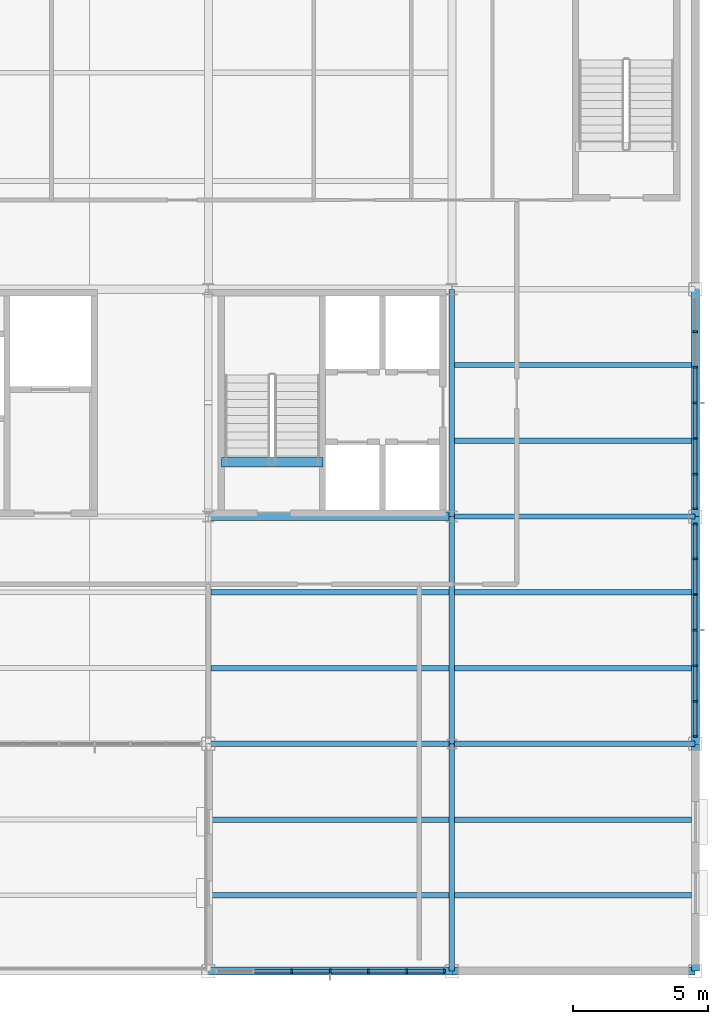
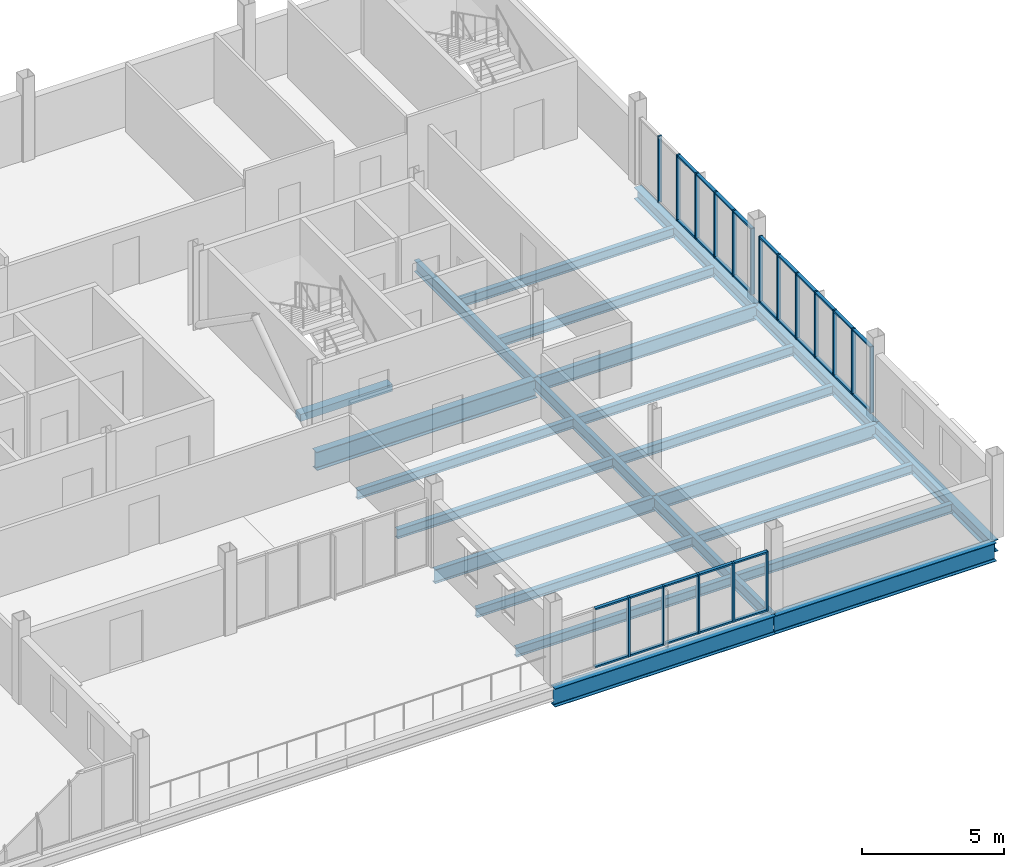
# One storey, part 7 of 20: 48 members, 23 beams, 3 elements without a shape of their own.
"""IFC4 building model written with IfcOpenShell, lengths in metres."""

import ifcopenshell
import ifcopenshell.guid

model = None  # the IFC model being written
_history = None  # IfcOwnerHistory: only IFC2X3 demands one
_inside = {}  # id of a spatial element -> (the spatial element, [elements in it])
_under = {}  # id of a project, library or spatial element -> (it, [spatial elements below it])
_declared = {}  # id of a project -> (the project, [libraries it declares])
_typed = {}  # id of a type object -> (the type object, [elements of that type])
_made_of = {}  # id of a material, layer set ... -> (it, [elements and type objects made of it])


def new_model(schema):
    """Start an empty IFC model of exactly this schema.

    Asked for "IFC4X3", IfcOpenShell would pick the latest addendum, in which some entities
    have other attributes; the version numbers below select the first issue.
    IFC2X3 requires an IfcOwnerHistory on every rooted entity: one is made here for all.
    """
    global model, _history
    if schema == "IFC4X3":
        model = ifcopenshell.file(schema_version=(4, 3, 0, 0))
    else:
        model = ifcopenshell.file(schema=schema)
    _inside.clear()
    _under.clear()
    _declared.clear()
    _typed.clear()
    _made_of.clear()
    _history = None
    if model.schema == "IFC2X3":
        org = make("IfcOrganization", Name="unknown")
        user = make(
            "IfcPersonAndOrganization",
            ThePerson=make("IfcPerson", FamilyName="unknown"),
            TheOrganization=org,
        )
        app = make(
            "IfcApplication",
            ApplicationDeveloper=org,
            Version="unknown",
            ApplicationFullName="unknown",
            ApplicationIdentifier="unknown",
        )
        _history = make(
            "IfcOwnerHistory",
            OwningUser=user,
            OwningApplication=app,
            ChangeAction="ADDED",
            CreationDate=0,
        )
    return model


def make(cls, **values):
    """One entity of the class cls with the attributes given. An attribute that is None is left unset."""
    return model.create_entity(
        cls, **{name: value for name, value in values.items() if value is not None}
    )


def rooted(cls, **values):
    """An entity with a GlobalId (a new one), such as an element, a storey or a relation."""
    return make(cls, GlobalId=ifcopenshell.guid.new(), OwnerHistory=_history, **values)


def si_unit(unit_type, name, prefix=None):
    """IfcSIUnit, for example si_unit("LENGTHUNIT", "METRE", prefix="MILLI")."""
    return make("IfcSIUnit", UnitType=unit_type, Prefix=prefix, Name=name)


def assignment(units):
    """IfcUnitAssignment: the units of a project."""
    return None if units is None else make("IfcUnitAssignment", Units=units)


def point(xyz):
    """IfcCartesianPoint."""
    return None if xyz is None else make("IfcCartesianPoint", Coordinates=xyz)


def direction(xyz):
    """IfcDirection."""
    return None if xyz is None else make("IfcDirection", DirectionRatios=xyz)


def frame(location, z_axis=None, x_axis=None):
    """IfcAxis2Placement3D, a coordinate frame: its origin and axes. An axis left out is left unset."""
    return make(
        "IfcAxis2Placement3D",
        Location=point(location),
        Axis=direction(z_axis),
        RefDirection=direction(x_axis),
    )


def frame_2d(location, x_axis=None):
    """IfcAxis2Placement2D, a coordinate frame in the plane: its origin and x axis."""
    return make(
        "IfcAxis2Placement2D", Location=point(location), RefDirection=direction(x_axis)
    )


def origin():
    """The frame at (0, 0, 0) with its axes left unset."""
    return frame((0.0, 0.0, 0.0))


def origin_2d():
    """The frame at (0, 0) in the plane with its x axis left unset."""
    return frame_2d((0.0, 0.0))


def place(relative_to, where):
    """IfcLocalPlacement: puts the frame where relative to a parent placement (None: the world)."""
    return make(
        "IfcLocalPlacement", PlacementRelTo=relative_to, RelativePlacement=where
    )


def context(
    kind, dimensions, precision=None, world=None, true_north=None, identifier=None
):
    """IfcGeometricRepresentationContext, for example the 3D "Model" context."""
    return make(
        "IfcGeometricRepresentationContext",
        ContextIdentifier=identifier,
        ContextType=kind,
        CoordinateSpaceDimension=dimensions,
        Precision=precision,
        WorldCoordinateSystem=world,
        TrueNorth=true_north,
    )


def subcontext(parent, identifier, kind, view, scale=None):
    """IfcGeometricRepresentationSubContext, for example "Body" below "Model"."""
    return make(
        "IfcGeometricRepresentationSubContext",
        ContextIdentifier=identifier,
        ContextType=kind,
        ParentContext=parent,
        TargetScale=scale,
        TargetView=view,
    )


def project(units=None, contexts=None):
    """IfcProject with its units and contexts."""
    return rooted(
        "IfcProject",
        Name="project",
        RepresentationContexts=contexts,
        UnitsInContext=assignment(units),
    )


def spatial(cls, under=None, at=None, **own):
    """A site, building, storey or space (cls), placed at a placement, below another one or the project."""
    s = rooted(cls, ObjectPlacement=at, **own)
    if under is not None:
        _under.setdefault(under.id(), (under, []))[1].append(s)
    return s


def profile(cls, at=None, kind="AREA", **sizes):
    """A parametric profile (cls). Its sizes go by their IFC names, for example OverallWidth=200.0."""
    return make(cls, ProfileType=kind, Position=at, **sizes)


def rectangle(**sizes):
    """IfcRectangleProfileDef."""
    return profile("IfcRectangleProfileDef", **sizes)


def i_section(**sizes):
    """IfcIShapeProfileDef."""
    return profile("IfcIShapeProfileDef", **sizes)


def extrude(swept, where, along, depth):
    """IfcExtrudedAreaSolid: the profile swept, set in the frame where, extruded along a direction by depth."""
    return make(
        "IfcExtrudedAreaSolid",
        SweptArea=swept,
        Position=where,
        ExtrudedDirection=direction(along),
        Depth=depth,
    )


def shape(context_of_items, identifier, shape_type, items):
    """IfcShapeRepresentation: the items that make up one representation, for example the "Body"."""
    return make(
        "IfcShapeRepresentation",
        ContextOfItems=context_of_items,
        RepresentationIdentifier=identifier,
        RepresentationType=shape_type,
        Items=items,
    )


def material(Name=None, Category=None):
    """IfcMaterial."""
    return make("IfcMaterial", Name=Name, Category=Category)


def layer(
    of_material, thickness, ventilated=None, Name=None, Category=None, Priority=None
):
    """IfcMaterialLayer: one layer of a wall or slab, of a material (None: an air gap)."""
    return make(
        "IfcMaterialLayer",
        Material=of_material,
        LayerThickness=thickness,
        IsVentilated=ventilated,
        Name=Name,
        Category=Category,
        Priority=Priority,
    )


def layer_set(layers, Name=None):
    """IfcMaterialLayerSet."""
    return make("IfcMaterialLayerSet", MaterialLayers=layers, LayerSetName=Name)


def material_profile(
    of_material, cross_section, Name=None, Category=None, Priority=None
):
    """IfcMaterialProfile: a cross section and its material."""
    return make(
        "IfcMaterialProfile",
        Name=Name,
        Material=of_material,
        Profile=cross_section,
        Priority=Priority,
        Category=Category,
    )


def profile_set(profiles, Name=None, composite=None):
    """IfcMaterialProfileSet."""
    return make(
        "IfcMaterialProfileSet",
        Name=Name,
        MaterialProfiles=profiles,
        CompositeProfile=composite,
    )


def made_of(thing, what):
    """Note that an element or type object is made of a material, layer set ...; save() writes the relation."""
    if what is not None:
        _made_of.setdefault(what.id(), (what, []))[1].append(thing)
    return thing


def type_object(cls, material=None, **own):
    """A type object (cls), such as IfcWallType, which elements share."""
    return made_of(rooted(cls, **own), material)


def element(
    cls,
    number,
    at=None,
    inside=None,
    cuts=None,
    type_object=None,
    material=None,
    context=None,
    identifier="Body",
    shape_type=None,
    held_by="IfcProductDefinitionShape",
    body=None,
    shapes=None,
    **own,
):
    """One element of the class cls, such as IfcWall. Its Tag is "e" and its number.

    at: its placement. inside: the storey or other place that contains it. cuts: it is an
    opening in that element (IfcRelVoidsElement). A single representation is given by context,
    identifier, shape_type and body (its items); several are given by shapes. held_by: the class
    of the entity that holds the representations. save() writes the other relations.
    """
    e = rooted(cls, Tag="e%d" % number, ObjectPlacement=at, **own)
    if body is not None:
        shapes = [shape(context, identifier, shape_type, body)]
    if shapes is not None:
        e.Representation = make(held_by, Representations=shapes)
    if inside is not None:
        _inside.setdefault(inside.id(), (inside, []))[1].append(e)
    if cuts is not None:
        rooted(
            "IfcRelVoidsElement", RelatingBuildingElement=cuts, RelatedOpeningElement=e
        )
    if type_object is not None:
        _typed.setdefault(type_object.id(), (type_object, []))[1].append(e)
    return made_of(e, material)


def aggregate(whole, parts):
    """IfcRelAggregates: a whole, such as a stair, and the parts it consists of."""
    return rooted("IfcRelAggregates", RelatingObject=whole, RelatedObjects=parts)


def save(model, path):
    """Write the relations noted so far, then the file.

    IfcRelAggregates (storeys below a building ...), IfcRelContainedInSpatialStructure (elements
    in a storey), IfcRelDefinesByType, IfcRelAssociatesMaterial and IfcRelDeclares: one each for
    every whole, place, type object, material and project.
    """
    for whole, parts in _under.values():
        aggregate(whole, parts)
    for where, things in _inside.values():
        rooted(
            "IfcRelContainedInSpatialStructure",
            RelatedElements=things,
            RelatingStructure=where,
        )
    for kind, things in _typed.values():
        rooted("IfcRelDefinesByType", RelatedObjects=things, RelatingType=kind)
    for what, things in _made_of.values():
        rooted("IfcRelAssociatesMaterial", RelatedObjects=things, RelatingMaterial=what)
    for by, libraries in _declared.values():
        rooted("IfcRelDeclares", RelatingContext=by, RelatedDefinitions=libraries)
    model.write(path)


model = new_model("IFC4")

# Units and contexts
model_context = context("Model", 3, precision=1e-05, world=origin(), true_north=direction((0.0, 1.0)))
body_context = subcontext(model_context, "Body", "Model", "MODEL_VIEW")
ifc_project = project(units=[si_unit("LENGTHUNIT", "METRE"), si_unit("AREAUNIT", "SQUARE_METRE"), si_unit("VOLUMEUNIT", "CUBIC_METRE"), si_unit("PLANEANGLEUNIT", "RADIAN"), si_unit("MASSUNIT", "GRAM", prefix="KILO")], contexts=[model_context])

# Site, building, storey
site_placement = place(None, origin())
site = spatial("IfcSite", under=ifc_project, at=site_placement, CompositionType="ELEMENT")
building_placement = place(site_placement, origin())
building = spatial("IfcBuilding", under=site, at=building_placement, Name="Yukiwa Park Conservatory and Herbarium", CompositionType="ELEMENT")
storey_placement = place(building_placement, frame((0.0, 0.0, 28.199951171875)))
storey = spatial("IfcBuildingStorey", under=building, at=storey_placement, Name="L07", CompositionType="ELEMENT", Elevation=28.199951171875)

# Beams
ifc_material_1 = material(Name="Steel Q355D", Category="steel")
ifc_material_profile_1 = material_profile(ifc_material_1, i_section(OverallWidth=0.199951171875, OverallDepth=0.5, WebThickness=0.010009765625, FlangeThickness=0.01611328125, FilletRadius=0.02001953125, at=origin_2d()), Name="HN 500x200x10x16")
ifc_profile_set_1 = profile_set([ifc_material_profile_1], Name="Steel Q355D")
beam_type_1 = type_object("IfcBeamType", Name="BM-GRD-HN500", PredefinedType="BEAM", material=ifc_profile_set_1)
for number, where, z_axis, x_axis, name in (
    (1, (159.0, 78.006103515625, -0.5048828125), (0.0, 1.0, 0.0), (-1.0, 0.0, 0.0), "L07 grid girder Y-46"),
    (2, (159.0, 86.406005859375, -0.5048828125), (0.0, 1.0, 0.0), (-1.0, 0.0, 0.0), "L07 grid girder Y-47"),
):
    element("IfcBeam", number, at=place(storey_placement, frame(where, z_axis=z_axis, x_axis=x_axis)), inside=storey, type_object=beam_type_1, Name=name, PredefinedType="BEAM", context=body_context, shape_type="SweptSolid", body=[
        extrude(i_section(OverallWidth=0.199951171875, OverallDepth=0.5, WebThickness=0.010009765625, FlangeThickness=0.01611328125, FilletRadius=0.02001953125, at=origin_2d()), origin(), (0.0, 0.0, 1.0), 8.387939453125),
    ])
beam_1_placement = place(storey_placement, frame((159.0, 94.805908203125, -0.5048828125), z_axis=(0.0, 1.0, 0.0), x_axis=(-1.0, 0.0, 0.0)))
element("IfcBeam", 3, at=beam_1_placement, inside=storey, type_object=beam_type_1, Name="L07 grid girder Y-48", PredefinedType="BEAM", context=body_context, shape_type="SweptSolid", body=[
    extrude(i_section(OverallWidth=0.199951171875, OverallDepth=0.5, WebThickness=0.010009765625, FlangeThickness=0.01611328125, FilletRadius=0.02001953125, at=origin_2d()), origin(), (0.0, 0.0, 1.0), 8.38818359375),
])
ifc_material_2 = material(Name="Steel Q355D", Category="steel")
ifc_material_profile_2 = material_profile(ifc_material_2, i_section(OverallWidth=0.199951171875, OverallDepth=0.60009765625, WebThickness=0.010986328125, FlangeThickness=0.01708984375, FilletRadius=0.02197265625, at=origin_2d()), Name="HN 600x200x11x17")
ifc_profile_set_2 = profile_set([ifc_material_profile_2], Name="Steel Q355D")
beam_type_2 = type_object("IfcBeamType", Name="BM-GRD-HN600", PredefinedType="BEAM", material=ifc_profile_set_2)
for number, where, z_axis, x_axis, name in (
    (4, (150.006103515625, 86.39990234375, -0.554931640625), (1.0, 0.0, 0.0), (0.0, 1.0, 0.0), "L07 grid beam X-10"),
    (5, (159.006103515625, 86.39990234375, -0.554931640625), (1.0, 0.0, 0.0), (0.0, 1.0, 0.0), "L07 grid beam X-11"),
    (6, (159.006103515625, 94.800048828125, -0.554931640625), (1.0, 0.0, 0.0), (0.0, 1.0, 0.0), "L07 grid beam X-17"),
):
    element("IfcBeam", number, at=place(storey_placement, frame(where, z_axis=z_axis, x_axis=x_axis)), inside=storey, type_object=beam_type_2, Name=name, PredefinedType="BEAM", context=body_context, shape_type="SweptSolid", body=[
        extrude(i_section(OverallWidth=0.199951171875, OverallDepth=0.60009765625, WebThickness=0.010986328125, FlangeThickness=0.01708984375, FilletRadius=0.02197265625, at=origin_2d()), origin(), (0.0, 0.0, 1.0), 8.98779296875),
    ])
ifc_material_3 = material(Name="Steel Q355D", Category="steel")
ifc_material_profile_3 = material_profile(ifc_material_3, i_section(OverallWidth=0.199951171875, OverallDepth=0.39990234375, WebThickness=0.008056640625, FlangeThickness=0.012939453125, FilletRadius=0.01611328125, at=origin_2d()), Name="HN 400x200x8x13")
ifc_profile_set_3 = profile_set([ifc_material_profile_3], Name="Steel Q355D")
beam_type_3 = type_object("IfcBeamType", Name="BM-JST-HN400", PredefinedType="JOIST", material=ifc_profile_set_3)
for number, where, z_axis, x_axis, name in (
    (7, (150.095947265625, 80.800048828125, -0.454833984375), (1.0, 0.0, 0.0), (0.0, 1.0, 0.0), "L07 composite floor joist 21"),
    (8, (150.095947265625, 83.60009765625, -0.454833984375), (1.0, 0.0, 0.0), (0.0, 1.0, 0.0), "L07 composite floor joist 22"),
    (9, (150.095947265625, 89.199951171875, -0.454833984375), (1.0, 0.0, 0.0), (0.0, 1.0, 0.0), "L07 composite floor joist 23"),
    (10, (150.095947265625, 92.0, -0.454833984375), (1.0, 0.0, 0.0), (0.0, 1.0, 0.0), "L07 composite floor joist 24"),
):
    element("IfcBeam", number, at=place(storey_placement, frame(where, z_axis=z_axis, x_axis=x_axis)), inside=storey, type_object=beam_type_3, Name=name, PredefinedType="JOIST", context=body_context, shape_type="SweptSolid", body=[
        extrude(i_section(OverallWidth=0.199951171875, OverallDepth=0.39990234375, WebThickness=0.008056640625, FlangeThickness=0.012939453125, FilletRadius=0.01611328125, at=origin_2d()), origin(), (0.0, 0.0, 1.0), 8.80810546875),
    ])
for number, where, z_axis, x_axis, name in (
    (11, (159.095947265625, 80.800048828125, -0.454833984375), (1.0, 0.0, 0.0), (0.0, 1.0, 0.0), "L07 composite floor joist 27"),
    (12, (159.095947265625, 83.60009765625, -0.454833984375), (1.0, 0.0, 0.0), (0.0, 1.0, 0.0), "L07 composite floor joist 28"),
    (13, (159.095947265625, 89.199951171875, -0.454833984375), (1.0, 0.0, 0.0), (0.0, 1.0, 0.0), "L07 composite floor joist 29"),
    (14, (159.095947265625, 92.0, -0.454833984375), (1.0, 0.0, 0.0), (0.0, 1.0, 0.0), "L07 composite floor joist 30"),
    (15, (159.095947265625, 97.60009765625, -0.454833984375), (1.0, 0.0, 0.0), (0.0, 1.0, 0.0), "L07 composite floor joist 31"),
    (16, (159.095947265625, 100.39990234375, -0.454833984375), (1.0, 0.0, 0.0), (0.0, 1.0, 0.0), "L07 composite floor joist 32"),
):
    element("IfcBeam", number, at=place(storey_placement, frame(where, z_axis=z_axis, x_axis=x_axis)), inside=storey, type_object=beam_type_3, Name=name, PredefinedType="JOIST", context=body_context, shape_type="SweptSolid", body=[
        extrude(i_section(OverallWidth=0.199951171875, OverallDepth=0.39990234375, WebThickness=0.008056640625, FlangeThickness=0.012939453125, FilletRadius=0.01611328125, at=origin_2d()), origin(), (0.0, 0.0, 1.0), 8.758056640625),
    ])
ifc_material_4 = material(Name="Steel Q355D", Category="steel")
ifc_material_profile_4 = material_profile(ifc_material_4, i_section(OverallWidth=0.300048828125, OverallDepth=0.5, WebThickness=0.010986328125, FlangeThickness=0.01806640625, FilletRadius=0.02392578125, at=origin_2d()), Name="HM 500x300x11x18")
ifc_profile_set_4 = profile_set([ifc_material_profile_4], Name="Steel Q355D")
beam_type_4 = type_object("IfcBeamType", Name="BM-SPN-HN500", PredefinedType="SPANDREL", material=ifc_profile_set_4)
for number, where, z_axis, x_axis, name in (
    (17, (168.0, 78.006103515625, -0.5048828125), (0.0, 1.0, 0.0), (-1.0, 0.0, 0.0), "L07 spandrel girder Y-50"),
    (18, (168.0, 86.406005859375, -0.5048828125), (0.0, 1.0, 0.0), (-1.0, 0.0, 0.0), "L07 spandrel girder Y-51"),
):
    element("IfcBeam", number, at=place(storey_placement, frame(where, z_axis=z_axis, x_axis=x_axis)), inside=storey, type_object=beam_type_4, Name=name, PredefinedType="SPANDREL", context=body_context, shape_type="SweptSolid", body=[
        extrude(i_section(OverallWidth=0.300048828125, OverallDepth=0.5, WebThickness=0.010986328125, FlangeThickness=0.01806640625, FilletRadius=0.02392578125, at=origin_2d()), origin(), (0.0, 0.0, 1.0), 8.387939453125),
    ])
beam_2_placement = place(storey_placement, frame((168.0, 94.805908203125, -0.5048828125), z_axis=(0.0, 1.0, 0.0), x_axis=(-1.0, 0.0, 0.0)))
element("IfcBeam", 19, at=beam_2_placement, inside=storey, type_object=beam_type_4, Name="L07 spandrel girder Y-52", PredefinedType="SPANDREL", context=body_context, shape_type="SweptSolid", body=[
    extrude(i_section(OverallWidth=0.300048828125, OverallDepth=0.5, WebThickness=0.010986328125, FlangeThickness=0.01806640625, FilletRadius=0.02392578125, at=origin_2d()), origin(), (0.0, 0.0, 1.0), 8.38818359375),
])
ifc_material_5 = material(Name="Steel Q355D", Category="steel")
ifc_material_profile_5 = material_profile(ifc_material_5, i_section(OverallWidth=0.300048828125, OverallDepth=0.7919921875, WebThickness=0.013916015625, FlangeThickness=0.02197265625, FilletRadius=0.028076171875, at=origin_2d()), Name="HN 792x300x14x22")
ifc_profile_set_5 = profile_set([ifc_material_profile_5], Name="Steel Q355D")
beam_type_5 = type_object("IfcBeamType", Name="BM-SPN-HN600", PredefinedType="SPANDREL", material=ifc_profile_set_5)
for number, where, z_axis, x_axis, name in (
    (20, (150.006103515625, 78.0, -0.65087890625), (1.0, 0.0, 0.0), (0.0, 1.0, 0.0), "L07 spandrel beam X-4"),
    (21, (159.006103515625, 78.0, -0.65087890625), (1.0, 0.0, 0.0), (0.0, 1.0, 0.0), "L07 spandrel beam X-5"),
    (22, (150.006103515625, 94.800048828125, -0.65087890625), (1.0, 0.0, 0.0), (0.0, 1.0, 0.0), "L07 spandrel beam X-16"),
):
    element("IfcBeam", number, at=place(storey_placement, frame(where, z_axis=z_axis, x_axis=x_axis)), inside=storey, type_object=beam_type_5, Name=name, PredefinedType="SPANDREL", context=body_context, shape_type="SweptSolid", body=[
        extrude(i_section(OverallWidth=0.300048828125, OverallDepth=0.7919921875, WebThickness=0.013916015625, FlangeThickness=0.02197265625, FilletRadius=0.028076171875, at=origin_2d()), origin(), (0.0, 0.0, 1.0), 8.98779296875),
    ])
ifc_material_6 = material(Name="Concrete C40", Category="concrete")
ifc_material_profile_6 = material_profile(ifc_material_6, rectangle(XDim=0.35009765625, YDim=0.300048828125, at=origin_2d()), Name="RC 350x300")
ifc_profile_set_6 = profile_set([ifc_material_profile_6], Name="Concrete C40")
beam_type_6 = type_object("IfcBeamType", Name="BM-STAIR-TRIM", PredefinedType="BEAM", material=ifc_profile_set_6)
beam_3_placement = place(storey_placement, frame((150.47998046875, 96.81005859375, -0.14990234375), z_axis=(1.0, 0.0, 0.0), x_axis=(0.0, 1.0, 0.0)))
element("IfcBeam", 23, at=beam_3_placement, inside=storey, type_object=beam_type_6, Name="Stair ST-T2 L07 landing trimmer beam", PredefinedType="BEAM", context=body_context, shape_type="SweptSolid", body=[
    extrude(rectangle(XDim=0.35009765625, YDim=0.300048828125, at=origin_2d()), origin(), (0.0, 0.0, 1.0), 3.75),
])

# Curtain wall, members
ifc_material_7 = material(Name="Triple Low-E Insulated Glass", Category="glass")
ifc_layer_1 = layer(ifc_material_7, 0.248046875)
ifc_layer_set_1 = layer_set([ifc_layer_1], Name="Triple Low-E Insulated Glass")
curtain_wall_type_1 = type_object("IfcCurtainWallType", Name="CW-TOWER-LAB-S-1400", PredefinedType="NOTDEFINED", material=ifc_layer_set_1)
curtain_wall_1_placement = place(storey_placement, origin())
curtain_wall_1 = element("IfcCurtainWall", 24, at=curtain_wall_1_placement, inside=storey, type_object=curtain_wall_type_1, Name="L07 unitised curtain wall CW-L07-090", PredefinedType="NOTDEFINED")
ifc_material_8 = material(Name="Anodised Aluminium", Category="aluminium")
member_type_1 = type_object("IfcMemberType", Name="MB-CW-MUL-70X150", PredefinedType="MULLION", material=ifc_material_8)
member_1_placement = place(storey_placement, frame((153.083251953125, 78.0, 0.0), z_axis=(0.0, 0.0, 1.0), x_axis=(1.0, 0.0, 0.0)))
member_1 = element("IfcMember", 25, at=member_1_placement, type_object=member_type_1, Name="CW-L07-090 mullion 3", PredefinedType="MULLION", context=body_context, shape_type="SweptSolid", body=[
    extrude(rectangle(XDim=0.070068359375, YDim=0.14990234375, at=origin_2d()), origin(), (0.0, 0.0, 1.0), 2.56005859375),
])
member_2_placement = place(storey_placement, frame((154.5, 78.0, 0.0), z_axis=(0.0, 0.0, 1.0), x_axis=(1.0, 0.0, 0.0)))
member_2 = element("IfcMember", 26, at=member_2_placement, type_object=member_type_1, Name="CW-L07-090 mullion 4", PredefinedType="MULLION", context=body_context, shape_type="SweptSolid", body=[
    extrude(rectangle(XDim=0.070068359375, YDim=0.14990234375, at=origin_2d()), origin(), (0.0, 0.0, 1.0), 2.56005859375),
])
member_3_placement = place(storey_placement, frame((155.916748046875, 78.0, 0.0), z_axis=(0.0, 0.0, 1.0), x_axis=(1.0, 0.0, 0.0)))
member_3 = element("IfcMember", 27, at=member_3_placement, type_object=member_type_1, Name="CW-L07-090 mullion 5", PredefinedType="MULLION", context=body_context, shape_type="SweptSolid", body=[
    extrude(rectangle(XDim=0.070068359375, YDim=0.14990234375, at=origin_2d()), origin(), (0.0, 0.0, 1.0), 2.56005859375),
])
member_4_placement = place(storey_placement, frame((157.333251953125, 78.0, 0.0), z_axis=(0.0, 0.0, 1.0), x_axis=(1.0, 0.0, 0.0)))
member_4 = element("IfcMember", 28, at=member_4_placement, type_object=member_type_1, Name="CW-L07-090 mullion 6", PredefinedType="MULLION", context=body_context, shape_type="SweptSolid", body=[
    extrude(rectangle(XDim=0.070068359375, YDim=0.14990234375, at=origin_2d()), origin(), (0.0, 0.0, 1.0), 2.56005859375),
])
member_5_placement = place(storey_placement, frame((158.715087890625, 78.0, 0.0), z_axis=(0.0, 0.0, 1.0), x_axis=(1.0, 0.0, 0.0)))
member_5 = element("IfcMember", 29, at=member_5_placement, type_object=member_type_1, Name="CW-L07-090 mullion 7", PredefinedType="MULLION", context=body_context, shape_type="SweptSolid", body=[
    extrude(rectangle(XDim=0.070068359375, YDim=0.14990234375, at=origin_2d()), origin(), (0.0, 0.0, 1.0), 2.56005859375),
])

ifc_material_9 = material(Name="Triple Low-E Insulated Glass", Category="glass")
ifc_layer_2 = layer(ifc_material_9, 0.22412109375)
ifc_layer_set_2 = layer_set([ifc_layer_2], Name="Triple Low-E Insulated Glass")
curtain_wall_type_2 = type_object("IfcCurtainWallType", Name="CW-TOWER-CORNER-1400", PredefinedType="NOTDEFINED", material=ifc_layer_set_2)
curtain_wall_2_placement = place(storey_placement, origin())
curtain_wall_2 = element("IfcCurtainWall", 30, at=curtain_wall_2_placement, inside=storey, type_object=curtain_wall_type_2, Name="L07 unitised curtain wall CW-L07-091", PredefinedType="NOTDEFINED")
member_6_placement = place(storey_placement, frame((168.0, 86.68505859375, 0.0), z_axis=(0.0, 0.0, 1.0), x_axis=(0.0, 1.0, 0.0)))
member_6 = element("IfcMember", 31, at=member_6_placement, type_object=member_type_1, Name="CW-L07-091 mullion 1", PredefinedType="MULLION", context=body_context, shape_type="SweptSolid", body=[
    extrude(rectangle(XDim=0.070068359375, YDim=0.14990234375, at=origin_2d()), origin(), (0.0, 0.0, 1.0), 2.85205078125),
])
member_7_placement = place(storey_placement, frame((168.0, 87.966796875, 0.0), z_axis=(0.0, 0.0, 1.0), x_axis=(0.0, 1.0, 0.0)))
member_7 = element("IfcMember", 32, at=member_7_placement, type_object=member_type_1, Name="CW-L07-091 mullion 2", PredefinedType="MULLION", context=body_context, shape_type="SweptSolid", body=[
    extrude(rectangle(XDim=0.070068359375, YDim=0.14990234375, at=origin_2d()), origin(), (0.0, 0.0, 1.0), 2.85205078125),
])
member_8_placement = place(storey_placement, frame((168.0, 89.283203125, 0.0), z_axis=(0.0, 0.0, 1.0), x_axis=(0.0, 1.0, 0.0)))
member_8 = element("IfcMember", 33, at=member_8_placement, type_object=member_type_1, Name="CW-L07-091 mullion 3", PredefinedType="MULLION", context=body_context, shape_type="SweptSolid", body=[
    extrude(rectangle(XDim=0.070068359375, YDim=0.14990234375, at=origin_2d()), origin(), (0.0, 0.0, 1.0), 2.85205078125),
])
member_9_placement = place(storey_placement, frame((168.0, 90.60009765625, 0.0), z_axis=(0.0, 0.0, 1.0), x_axis=(0.0, 1.0, 0.0)))
member_9 = element("IfcMember", 34, at=member_9_placement, type_object=member_type_1, Name="CW-L07-091 mullion 4", PredefinedType="MULLION", context=body_context, shape_type="SweptSolid", body=[
    extrude(rectangle(XDim=0.070068359375, YDim=0.14990234375, at=origin_2d()), origin(), (0.0, 0.0, 1.0), 2.85205078125),
])
member_10_placement = place(storey_placement, frame((168.0, 91.916748046875, 0.0), z_axis=(0.0, 0.0, 1.0), x_axis=(0.0, 1.0, 0.0)))
member_10 = element("IfcMember", 35, at=member_10_placement, type_object=member_type_1, Name="CW-L07-091 mullion 5", PredefinedType="MULLION", context=body_context, shape_type="SweptSolid", body=[
    extrude(rectangle(XDim=0.070068359375, YDim=0.14990234375, at=origin_2d()), origin(), (0.0, 0.0, 1.0), 2.85205078125),
])
member_11_placement = place(storey_placement, frame((168.0, 93.2333984375, 0.0), z_axis=(0.0, 0.0, 1.0), x_axis=(0.0, 1.0, 0.0)))
member_11 = element("IfcMember", 36, at=member_11_placement, type_object=member_type_1, Name="CW-L07-091 mullion 6", PredefinedType="MULLION", context=body_context, shape_type="SweptSolid", body=[
    extrude(rectangle(XDim=0.070068359375, YDim=0.14990234375, at=origin_2d()), origin(), (0.0, 0.0, 1.0), 2.85205078125),
])
member_12_placement = place(storey_placement, frame((168.0, 94.514892578125, 0.0), z_axis=(0.0, 0.0, 1.0), x_axis=(0.0, 1.0, 0.0)))
member_12 = element("IfcMember", 37, at=member_12_placement, type_object=member_type_1, Name="CW-L07-091 mullion 7", PredefinedType="MULLION", context=body_context, shape_type="SweptSolid", body=[
    extrude(rectangle(XDim=0.070068359375, YDim=0.14990234375, at=origin_2d()), origin(), (0.0, 0.0, 1.0), 2.85205078125),
])

curtain_wall_3_placement = place(storey_placement, origin())
curtain_wall_3 = element("IfcCurtainWall", 38, at=curtain_wall_3_placement, inside=storey, type_object=curtain_wall_type_2, Name="L07 unitised curtain wall CW-L07-092", PredefinedType="NOTDEFINED")
member_13_placement = place(storey_placement, frame((168.0, 95.0849609375, 0.0), z_axis=(0.0, 0.0, 1.0), x_axis=(0.0, 1.0, 0.0)))
member_13 = element("IfcMember", 39, at=member_13_placement, type_object=member_type_1, Name="CW-L07-092 mullion 1", PredefinedType="MULLION", context=body_context, shape_type="SweptSolid", body=[
    extrude(rectangle(XDim=0.070068359375, YDim=0.14990234375, at=origin_2d()), origin(), (0.0, 0.0, 1.0), 2.85205078125),
])
member_14_placement = place(storey_placement, frame((168.0, 96.36669921875, 0.0), z_axis=(0.0, 0.0, 1.0), x_axis=(0.0, 1.0, 0.0)))
member_14 = element("IfcMember", 40, at=member_14_placement, type_object=member_type_1, Name="CW-L07-092 mullion 2", PredefinedType="MULLION", context=body_context, shape_type="SweptSolid", body=[
    extrude(rectangle(XDim=0.070068359375, YDim=0.14990234375, at=origin_2d()), origin(), (0.0, 0.0, 1.0), 2.85205078125),
])
member_15_placement = place(storey_placement, frame((168.0, 97.683349609375, 0.0), z_axis=(0.0, 0.0, 1.0), x_axis=(0.0, 1.0, 0.0)))
member_15 = element("IfcMember", 41, at=member_15_placement, type_object=member_type_1, Name="CW-L07-092 mullion 3", PredefinedType="MULLION", context=body_context, shape_type="SweptSolid", body=[
    extrude(rectangle(XDim=0.070068359375, YDim=0.14990234375, at=origin_2d()), origin(), (0.0, 0.0, 1.0), 2.85205078125),
])
member_16_placement = place(storey_placement, frame((168.0, 99.0, 0.0), z_axis=(0.0, 0.0, 1.0), x_axis=(0.0, 1.0, 0.0)))
member_16 = element("IfcMember", 42, at=member_16_placement, type_object=member_type_1, Name="CW-L07-092 mullion 4", PredefinedType="MULLION", context=body_context, shape_type="SweptSolid", body=[
    extrude(rectangle(XDim=0.070068359375, YDim=0.14990234375, at=origin_2d()), origin(), (0.0, 0.0, 1.0), 2.85205078125),
])
member_17_placement = place(storey_placement, frame((168.0, 100.316650390625, 0.0), z_axis=(0.0, 0.0, 1.0), x_axis=(0.0, 1.0, 0.0)))
member_17 = element("IfcMember", 43, at=member_17_placement, type_object=member_type_1, Name="CW-L07-092 mullion 5", PredefinedType="MULLION", context=body_context, shape_type="SweptSolid", body=[
    extrude(rectangle(XDim=0.070068359375, YDim=0.14990234375, at=origin_2d()), origin(), (0.0, 0.0, 1.0), 2.85205078125),
])
member_18_placement = place(storey_placement, frame((168.0, 101.63330078125, 0.0), z_axis=(0.0, 0.0, 1.0), x_axis=(0.0, 1.0, 0.0)))
member_18 = element("IfcMember", 44, at=member_18_placement, type_object=member_type_1, Name="CW-L07-092 mullion 6", PredefinedType="MULLION", context=body_context, shape_type="SweptSolid", body=[
    extrude(rectangle(XDim=0.070068359375, YDim=0.14990234375, at=origin_2d()), origin(), (0.0, 0.0, 1.0), 2.85205078125),
])

# Member
ifc_material_10 = material(Name="Anodised Aluminium", Category="aluminium")
member_type_2 = type_object("IfcMemberType", Name="MB-CW-TRN-70X130", PredefinedType="USERDEFINED", material=ifc_material_10)
member_19_placement = place(storey_placement, frame((152.375, 78.0, 0.0), z_axis=(0.0, 0.0, 1.0), x_axis=(1.0, 0.0, 0.0)))
member_19 = element("IfcMember", 45, at=member_19_placement, type_object=member_type_2, Name="CW-L07-090 transom 2.1", ObjectType="TRANSOM", PredefinedType="USERDEFINED", context=body_context, shape_type="SweptSolid", body=[
    extrude(rectangle(XDim=1.3466796875, YDim=0.1298828125, at=origin_2d()), origin(), (0.0, 0.0, 1.0), 0.070068359375),
])

member_20_placement = place(storey_placement, frame((152.375, 78.0, 2.490234375), z_axis=(0.0, 0.0, 1.0), x_axis=(1.0, 0.0, 0.0)))
member_20 = element("IfcMember", 46, at=member_20_placement, type_object=member_type_2, Name="CW-L07-090 transom 2.2", ObjectType="TRANSOM", PredefinedType="USERDEFINED", context=body_context, shape_type="SweptSolid", body=[
    extrude(rectangle(XDim=1.3466796875, YDim=0.1298828125, at=origin_2d()), origin(), (0.0, 0.0, 1.0), 0.070068359375),
])

member_21_placement = place(storey_placement, frame((153.791748046875, 78.0, 0.0), z_axis=(0.0, 0.0, 1.0), x_axis=(1.0, 0.0, 0.0)))
member_21 = element("IfcMember", 47, at=member_21_placement, type_object=member_type_2, Name="CW-L07-090 transom 3.1", ObjectType="TRANSOM", PredefinedType="USERDEFINED", context=body_context, shape_type="SweptSolid", body=[
    extrude(rectangle(XDim=1.3466796875, YDim=0.1298828125, at=origin_2d()), origin(), (0.0, 0.0, 1.0), 0.070068359375),
])

member_22_placement = place(storey_placement, frame((153.791748046875, 78.0, 2.490234375), z_axis=(0.0, 0.0, 1.0), x_axis=(1.0, 0.0, 0.0)))
member_22 = element("IfcMember", 48, at=member_22_placement, type_object=member_type_2, Name="CW-L07-090 transom 3.2", ObjectType="TRANSOM", PredefinedType="USERDEFINED", context=body_context, shape_type="SweptSolid", body=[
    extrude(rectangle(XDim=1.3466796875, YDim=0.1298828125, at=origin_2d()), origin(), (0.0, 0.0, 1.0), 0.070068359375),
])

member_23_placement = place(storey_placement, frame((155.208251953125, 78.0, 0.0), z_axis=(0.0, 0.0, 1.0), x_axis=(1.0, 0.0, 0.0)))
member_23 = element("IfcMember", 49, at=member_23_placement, type_object=member_type_2, Name="CW-L07-090 transom 4.1", ObjectType="TRANSOM", PredefinedType="USERDEFINED", context=body_context, shape_type="SweptSolid", body=[
    extrude(rectangle(XDim=1.3466796875, YDim=0.1298828125, at=origin_2d()), origin(), (0.0, 0.0, 1.0), 0.070068359375),
])

member_24_placement = place(storey_placement, frame((155.208251953125, 78.0, 2.490234375), z_axis=(0.0, 0.0, 1.0), x_axis=(1.0, 0.0, 0.0)))
member_24 = element("IfcMember", 50, at=member_24_placement, type_object=member_type_2, Name="CW-L07-090 transom 4.2", ObjectType="TRANSOM", PredefinedType="USERDEFINED", context=body_context, shape_type="SweptSolid", body=[
    extrude(rectangle(XDim=1.3466796875, YDim=0.1298828125, at=origin_2d()), origin(), (0.0, 0.0, 1.0), 0.070068359375),
])

member_25_placement = place(storey_placement, frame((156.625, 78.0, 0.0), z_axis=(0.0, 0.0, 1.0), x_axis=(1.0, 0.0, 0.0)))
member_25 = element("IfcMember", 51, at=member_25_placement, type_object=member_type_2, Name="CW-L07-090 transom 5.1", ObjectType="TRANSOM", PredefinedType="USERDEFINED", context=body_context, shape_type="SweptSolid", body=[
    extrude(rectangle(XDim=1.3466796875, YDim=0.1298828125, at=origin_2d()), origin(), (0.0, 0.0, 1.0), 0.070068359375),
])

member_26_placement = place(storey_placement, frame((156.625, 78.0, 2.490234375), z_axis=(0.0, 0.0, 1.0), x_axis=(1.0, 0.0, 0.0)))
member_26 = element("IfcMember", 52, at=member_26_placement, type_object=member_type_2, Name="CW-L07-090 transom 5.2", ObjectType="TRANSOM", PredefinedType="USERDEFINED", context=body_context, shape_type="SweptSolid", body=[
    extrude(rectangle(XDim=1.3466796875, YDim=0.1298828125, at=origin_2d()), origin(), (0.0, 0.0, 1.0), 0.070068359375),
])

member_27_placement = place(storey_placement, frame((158.041748046875, 78.0, 0.0), z_axis=(0.0, 0.0, 1.0), x_axis=(1.0, 0.0, 0.0)))
member_27 = element("IfcMember", 53, at=member_27_placement, type_object=member_type_2, Name="CW-L07-090 transom 6.1", ObjectType="TRANSOM", PredefinedType="USERDEFINED", context=body_context, shape_type="SweptSolid", body=[
    extrude(rectangle(XDim=1.3466796875, YDim=0.1298828125, at=origin_2d()), origin(), (0.0, 0.0, 1.0), 0.070068359375),
])

member_28_placement = place(storey_placement, frame((158.041748046875, 78.0, 2.490234375), z_axis=(0.0, 0.0, 1.0), x_axis=(1.0, 0.0, 0.0)))
member_28 = element("IfcMember", 54, at=member_28_placement, type_object=member_type_2, Name="CW-L07-090 transom 6.2", ObjectType="TRANSOM", PredefinedType="USERDEFINED", context=body_context, shape_type="SweptSolid", body=[
    extrude(rectangle(XDim=1.3466796875, YDim=0.1298828125, at=origin_2d()), origin(), (0.0, 0.0, 1.0), 0.070068359375),
])

aggregate(curtain_wall_1, [member_1, member_2, member_3, member_4, member_5, member_19, member_20, member_21, member_22, member_23, member_24, member_25, member_26, member_27, member_28])

member_29_placement = place(storey_placement, frame((168.0, 87.308349609375, 0.0), z_axis=(0.0, 0.0, 1.0), x_axis=(0.0, 1.0, 0.0)))
member_29 = element("IfcMember", 55, at=member_29_placement, type_object=member_type_2, Name="CW-L07-091 transom 1.1", ObjectType="TRANSOM", PredefinedType="USERDEFINED", context=body_context, shape_type="SweptSolid", body=[
    extrude(rectangle(XDim=1.24658203125, YDim=0.1298828125, at=origin_2d()), origin(), (0.0, 0.0, 1.0), 0.070068359375),
])

member_30_placement = place(storey_placement, frame((168.0, 87.308349609375, 2.7822265625), z_axis=(0.0, 0.0, 1.0), x_axis=(0.0, 1.0, 0.0)))
member_30 = element("IfcMember", 56, at=member_30_placement, type_object=member_type_2, Name="CW-L07-091 transom 1.2", ObjectType="TRANSOM", PredefinedType="USERDEFINED", context=body_context, shape_type="SweptSolid", body=[
    extrude(rectangle(XDim=1.24658203125, YDim=0.1298828125, at=origin_2d()), origin(), (0.0, 0.0, 1.0), 0.070068359375),
])

member_31_placement = place(storey_placement, frame((168.0, 88.625, 0.0), z_axis=(0.0, 0.0, 1.0), x_axis=(0.0, 1.0, 0.0)))
member_31 = element("IfcMember", 57, at=member_31_placement, type_object=member_type_2, Name="CW-L07-091 transom 2.1", ObjectType="TRANSOM", PredefinedType="USERDEFINED", context=body_context, shape_type="SweptSolid", body=[
    extrude(rectangle(XDim=1.24658203125, YDim=0.1298828125, at=origin_2d()), origin(), (0.0, 0.0, 1.0), 0.070068359375),
])

member_32_placement = place(storey_placement, frame((168.0, 88.625, 2.7822265625), z_axis=(0.0, 0.0, 1.0), x_axis=(0.0, 1.0, 0.0)))
member_32 = element("IfcMember", 58, at=member_32_placement, type_object=member_type_2, Name="CW-L07-091 transom 2.2", ObjectType="TRANSOM", PredefinedType="USERDEFINED", context=body_context, shape_type="SweptSolid", body=[
    extrude(rectangle(XDim=1.24658203125, YDim=0.1298828125, at=origin_2d()), origin(), (0.0, 0.0, 1.0), 0.070068359375),
])

member_33_placement = place(storey_placement, frame((168.0, 89.941650390625, 0.0), z_axis=(0.0, 0.0, 1.0), x_axis=(0.0, 1.0, 0.0)))
member_33 = element("IfcMember", 59, at=member_33_placement, type_object=member_type_2, Name="CW-L07-091 transom 3.1", ObjectType="TRANSOM", PredefinedType="USERDEFINED", context=body_context, shape_type="SweptSolid", body=[
    extrude(rectangle(XDim=1.24658203125, YDim=0.1298828125, at=origin_2d()), origin(), (0.0, 0.0, 1.0), 0.070068359375),
])

member_34_placement = place(storey_placement, frame((168.0, 89.941650390625, 2.7822265625), z_axis=(0.0, 0.0, 1.0), x_axis=(0.0, 1.0, 0.0)))
member_34 = element("IfcMember", 60, at=member_34_placement, type_object=member_type_2, Name="CW-L07-091 transom 3.2", ObjectType="TRANSOM", PredefinedType="USERDEFINED", context=body_context, shape_type="SweptSolid", body=[
    extrude(rectangle(XDim=1.24658203125, YDim=0.1298828125, at=origin_2d()), origin(), (0.0, 0.0, 1.0), 0.070068359375),
])

member_35_placement = place(storey_placement, frame((168.0, 91.25830078125, 0.0), z_axis=(0.0, 0.0, 1.0), x_axis=(0.0, 1.0, 0.0)))
member_35 = element("IfcMember", 61, at=member_35_placement, type_object=member_type_2, Name="CW-L07-091 transom 4.1", ObjectType="TRANSOM", PredefinedType="USERDEFINED", context=body_context, shape_type="SweptSolid", body=[
    extrude(rectangle(XDim=1.24658203125, YDim=0.1298828125, at=origin_2d()), origin(), (0.0, 0.0, 1.0), 0.070068359375),
])

member_36_placement = place(storey_placement, frame((168.0, 91.25830078125, 2.7822265625), z_axis=(0.0, 0.0, 1.0), x_axis=(0.0, 1.0, 0.0)))
member_36 = element("IfcMember", 62, at=member_36_placement, type_object=member_type_2, Name="CW-L07-091 transom 4.2", ObjectType="TRANSOM", PredefinedType="USERDEFINED", context=body_context, shape_type="SweptSolid", body=[
    extrude(rectangle(XDim=1.24658203125, YDim=0.1298828125, at=origin_2d()), origin(), (0.0, 0.0, 1.0), 0.070068359375),
])

member_37_placement = place(storey_placement, frame((168.0, 92.574951171875, 0.0), z_axis=(0.0, 0.0, 1.0), x_axis=(0.0, 1.0, 0.0)))
member_37 = element("IfcMember", 63, at=member_37_placement, type_object=member_type_2, Name="CW-L07-091 transom 5.1", ObjectType="TRANSOM", PredefinedType="USERDEFINED", context=body_context, shape_type="SweptSolid", body=[
    extrude(rectangle(XDim=1.24658203125, YDim=0.1298828125, at=origin_2d()), origin(), (0.0, 0.0, 1.0), 0.070068359375),
])

member_38_placement = place(storey_placement, frame((168.0, 92.574951171875, 2.7822265625), z_axis=(0.0, 0.0, 1.0), x_axis=(0.0, 1.0, 0.0)))
member_38 = element("IfcMember", 64, at=member_38_placement, type_object=member_type_2, Name="CW-L07-091 transom 5.2", ObjectType="TRANSOM", PredefinedType="USERDEFINED", context=body_context, shape_type="SweptSolid", body=[
    extrude(rectangle(XDim=1.24658203125, YDim=0.1298828125, at=origin_2d()), origin(), (0.0, 0.0, 1.0), 0.070068359375),
])

member_39_placement = place(storey_placement, frame((168.0, 93.8916015625, 0.0), z_axis=(0.0, 0.0, 1.0), x_axis=(0.0, 1.0, 0.0)))
member_39 = element("IfcMember", 65, at=member_39_placement, type_object=member_type_2, Name="CW-L07-091 transom 6.1", ObjectType="TRANSOM", PredefinedType="USERDEFINED", context=body_context, shape_type="SweptSolid", body=[
    extrude(rectangle(XDim=1.24658203125, YDim=0.1298828125, at=origin_2d()), origin(), (0.0, 0.0, 1.0), 0.070068359375),
])

member_40_placement = place(storey_placement, frame((168.0, 93.8916015625, 2.7822265625), z_axis=(0.0, 0.0, 1.0), x_axis=(0.0, 1.0, 0.0)))
member_40 = element("IfcMember", 66, at=member_40_placement, type_object=member_type_2, Name="CW-L07-091 transom 6.2", ObjectType="TRANSOM", PredefinedType="USERDEFINED", context=body_context, shape_type="SweptSolid", body=[
    extrude(rectangle(XDim=1.24658203125, YDim=0.1298828125, at=origin_2d()), origin(), (0.0, 0.0, 1.0), 0.070068359375),
])

aggregate(curtain_wall_2, [member_6, member_7, member_8, member_9, member_10, member_11, member_12, member_29, member_30, member_31, member_32, member_33, member_34, member_35, member_36, member_37, member_38, member_39, member_40])

member_41_placement = place(storey_placement, frame((168.0, 95.708251953125, 0.0), z_axis=(0.0, 0.0, 1.0), x_axis=(0.0, 1.0, 0.0)))
member_41 = element("IfcMember", 67, at=member_41_placement, type_object=member_type_2, Name="CW-L07-092 transom 1.1", ObjectType="TRANSOM", PredefinedType="USERDEFINED", context=body_context, shape_type="SweptSolid", body=[
    extrude(rectangle(XDim=1.24658203125, YDim=0.1298828125, at=origin_2d()), origin(), (0.0, 0.0, 1.0), 0.070068359375),
])

member_42_placement = place(storey_placement, frame((168.0, 95.708251953125, 2.7822265625), z_axis=(0.0, 0.0, 1.0), x_axis=(0.0, 1.0, 0.0)))
member_42 = element("IfcMember", 68, at=member_42_placement, type_object=member_type_2, Name="CW-L07-092 transom 1.2", ObjectType="TRANSOM", PredefinedType="USERDEFINED", context=body_context, shape_type="SweptSolid", body=[
    extrude(rectangle(XDim=1.24658203125, YDim=0.1298828125, at=origin_2d()), origin(), (0.0, 0.0, 1.0), 0.070068359375),
])

member_43_placement = place(storey_placement, frame((168.0, 97.02490234375, 0.0), z_axis=(0.0, 0.0, 1.0), x_axis=(0.0, 1.0, 0.0)))
member_43 = element("IfcMember", 69, at=member_43_placement, type_object=member_type_2, Name="CW-L07-092 transom 2.1", ObjectType="TRANSOM", PredefinedType="USERDEFINED", context=body_context, shape_type="SweptSolid", body=[
    extrude(rectangle(XDim=1.24658203125, YDim=0.1298828125, at=origin_2d()), origin(), (0.0, 0.0, 1.0), 0.070068359375),
])

member_44_placement = place(storey_placement, frame((168.0, 97.02490234375, 2.7822265625), z_axis=(0.0, 0.0, 1.0), x_axis=(0.0, 1.0, 0.0)))
member_44 = element("IfcMember", 70, at=member_44_placement, type_object=member_type_2, Name="CW-L07-092 transom 2.2", ObjectType="TRANSOM", PredefinedType="USERDEFINED", context=body_context, shape_type="SweptSolid", body=[
    extrude(rectangle(XDim=1.24658203125, YDim=0.1298828125, at=origin_2d()), origin(), (0.0, 0.0, 1.0), 0.070068359375),
])

member_45_placement = place(storey_placement, frame((168.0, 98.341796875, 0.0), z_axis=(0.0, 0.0, 1.0), x_axis=(0.0, 1.0, 0.0)))
member_45 = element("IfcMember", 71, at=member_45_placement, type_object=member_type_2, Name="CW-L07-092 transom 3.1", ObjectType="TRANSOM", PredefinedType="USERDEFINED", context=body_context, shape_type="SweptSolid", body=[
    extrude(rectangle(XDim=1.24658203125, YDim=0.1298828125, at=origin_2d()), origin(), (0.0, 0.0, 1.0), 0.070068359375),
])

member_46_placement = place(storey_placement, frame((168.0, 98.341796875, 2.7822265625), z_axis=(0.0, 0.0, 1.0), x_axis=(0.0, 1.0, 0.0)))
member_46 = element("IfcMember", 72, at=member_46_placement, type_object=member_type_2, Name="CW-L07-092 transom 3.2", ObjectType="TRANSOM", PredefinedType="USERDEFINED", context=body_context, shape_type="SweptSolid", body=[
    extrude(rectangle(XDim=1.24658203125, YDim=0.1298828125, at=origin_2d()), origin(), (0.0, 0.0, 1.0), 0.070068359375),
])

member_47_placement = place(storey_placement, frame((168.0, 99.658203125, 0.0), z_axis=(0.0, 0.0, 1.0), x_axis=(0.0, 1.0, 0.0)))
member_47 = element("IfcMember", 73, at=member_47_placement, type_object=member_type_2, Name="CW-L07-092 transom 4.1", ObjectType="TRANSOM", PredefinedType="USERDEFINED", context=body_context, shape_type="SweptSolid", body=[
    extrude(rectangle(XDim=1.24658203125, YDim=0.1298828125, at=origin_2d()), origin(), (0.0, 0.0, 1.0), 0.070068359375),
])

member_48_placement = place(storey_placement, frame((168.0, 99.658203125, 2.7822265625), z_axis=(0.0, 0.0, 1.0), x_axis=(0.0, 1.0, 0.0)))
member_48 = element("IfcMember", 74, at=member_48_placement, type_object=member_type_2, Name="CW-L07-092 transom 4.2", ObjectType="TRANSOM", PredefinedType="USERDEFINED", context=body_context, shape_type="SweptSolid", body=[
    extrude(rectangle(XDim=1.24658203125, YDim=0.1298828125, at=origin_2d()), origin(), (0.0, 0.0, 1.0), 0.070068359375),
])

aggregate(curtain_wall_3, [member_13, member_14, member_15, member_16, member_17, member_18, member_41, member_42, member_43, member_44, member_45, member_46, member_47, member_48])

save(model, "model.ifc")
